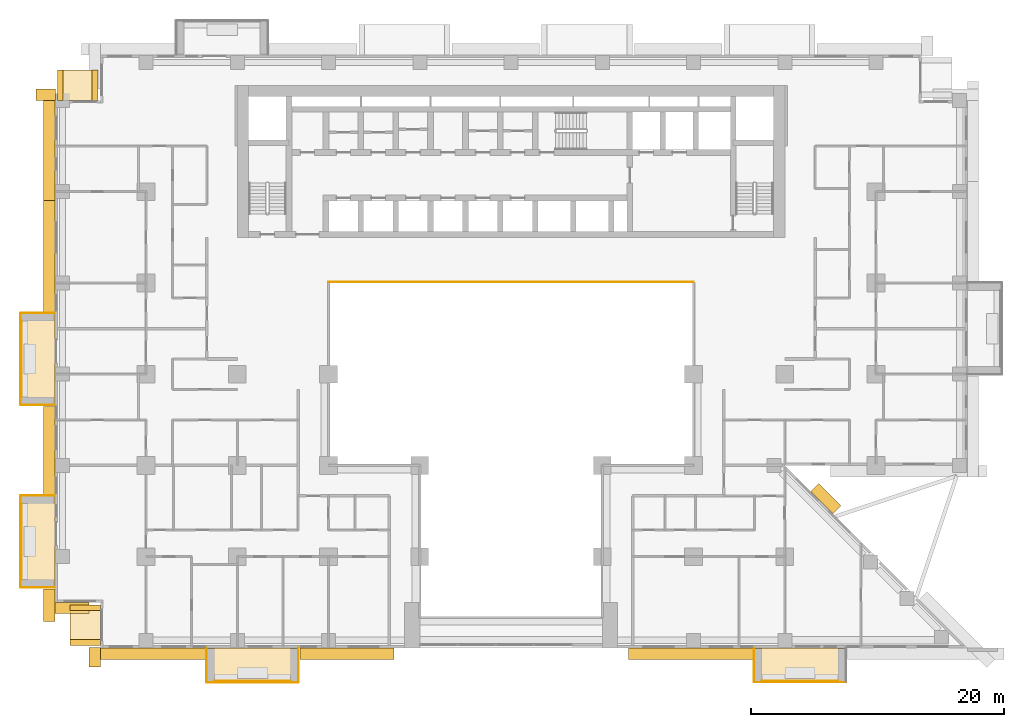
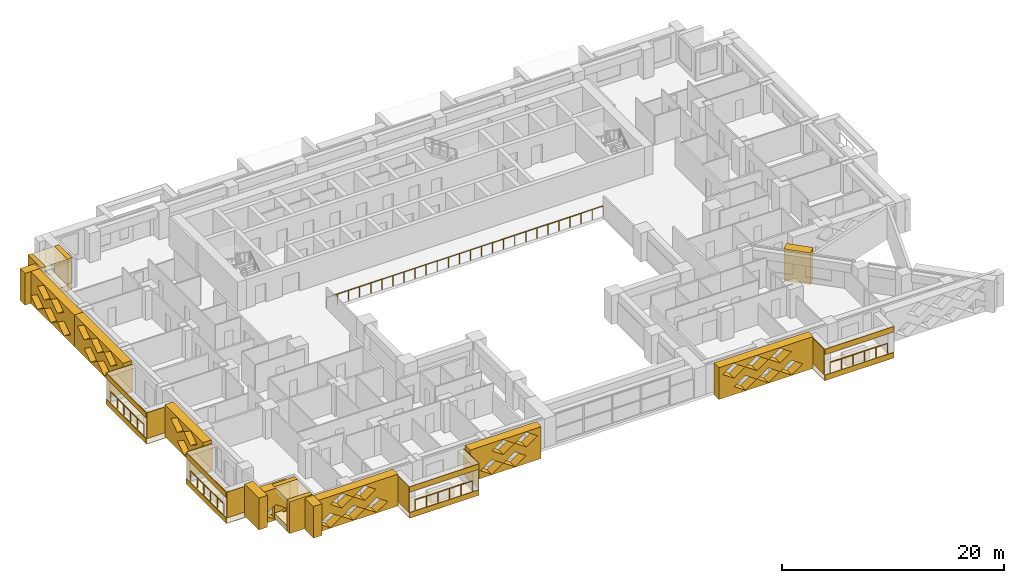
# One storey, part 14 of 17: 38 coverings, 5 railings.
"""IFC4 building model written with IfcOpenShell, lengths in metres."""

from ifc_helpers import new_model, si_unit, direction, frame, origin, origin_2d, place, context, subcontext, project, spatial, polyline, circle, outline, extrude, material, layer, layer_set, type_object, element, save


model = new_model("IFC4")

# Units and contexts
model_context = context("Model", 3, precision=1e-05, world=origin(), true_north=direction((0.0, 1.0)))
body_context = subcontext(model_context, "Body", "Model", "MODEL_VIEW")
ifc_project = project(units=[si_unit("LENGTHUNIT", "METRE"), si_unit("AREAUNIT", "SQUARE_METRE"), si_unit("VOLUMEUNIT", "CUBIC_METRE"), si_unit("PLANEANGLEUNIT", "RADIAN"), si_unit("MASSUNIT", "GRAM", prefix="KILO")], contexts=[model_context])

# Site, building, storey
site_placement = place(None, origin())
site = spatial("IfcSite", under=ifc_project, at=site_placement, CompositionType="ELEMENT")
building_placement = place(site_placement, origin())
building = spatial("IfcBuilding", under=site, at=building_placement, Name="Saffron Iwan Residences", CompositionType="ELEMENT")
storey_placement = place(building_placement, frame((0.0, 0.0, 51.5)))
storey = spatial("IfcBuildingStorey", under=building, at=storey_placement, Name="L12", CompositionType="ELEMENT", Elevation=51.5)

# Railings
ifc_material_1 = material(Name="Stainless steel 316", Category="steel")
railing_type_1 = type_object("IfcRailingType", Name="Atrium guard 1150", PredefinedType="GUARDRAIL", material=ifc_material_1)
railing_placement = place(storey_placement, frame((36.0, 62.47509765625, 0.0)))
element("IfcRailing", 1, at=railing_placement, inside=storey, type_object=railing_type_1, Name="Atrium guard L12", PredefinedType="GUARDRAIL", context=body_context, shape_type="SweptSolid", body=[
    extrude(circle(Radius=0.02392578125, at=origin_2d()), frame((0.0, 0.0, 1.1259765625), z_axis=(1.0, 0.0, 0.0), x_axis=(0.0, 1.0, 0.0)), (0.0, 0.0, 1.0), 28.800048828125),
    extrude(circle(Radius=0.02099609375, at=origin_2d()), origin(), (0.0, 0.0, 1.0), 1.101806640625),
    extrude(circle(Radius=0.02099609375, at=origin_2d()), frame((1.152099609375, 0.0, 0.0)), (0.0, 0.0, 1.0), 1.101806640625),
    extrude(circle(Radius=0.02099609375, at=origin_2d()), frame((2.303955078125, 0.0, 0.0)), (0.0, 0.0, 1.0), 1.101806640625),
    extrude(circle(Radius=0.02099609375, at=origin_2d()), frame((3.4560546875, 0.0, 0.0)), (0.0, 0.0, 1.0), 1.101806640625),
    extrude(circle(Radius=0.02099609375, at=origin_2d()), frame((4.60791015625, 0.0, 0.0)), (0.0, 0.0, 1.0), 1.101806640625),
    extrude(circle(Radius=0.02099609375, at=origin_2d()), frame((5.760009765625, 0.0, 0.0)), (0.0, 0.0, 1.0), 1.101806640625),
    extrude(circle(Radius=0.02099609375, at=origin_2d()), frame((6.912109375, 0.0, 0.0)), (0.0, 0.0, 1.0), 1.101806640625),
    extrude(circle(Radius=0.02099609375, at=origin_2d()), frame((8.06396484375, 0.0, 0.0)), (0.0, 0.0, 1.0), 1.101806640625),
    extrude(circle(Radius=0.02099609375, at=origin_2d()), frame((9.216064453125, 0.0, 0.0)), (0.0, 0.0, 1.0), 1.101806640625),
    extrude(circle(Radius=0.02099609375, at=origin_2d()), frame((10.367919921875, 0.0, 0.0)), (0.0, 0.0, 1.0), 1.101806640625),
    extrude(circle(Radius=0.02099609375, at=origin_2d()), frame((11.52001953125, 0.0, 0.0)), (0.0, 0.0, 1.0), 1.101806640625),
    extrude(circle(Radius=0.02099609375, at=origin_2d()), frame((12.672119140625, 0.0, 0.0)), (0.0, 0.0, 1.0), 1.101806640625),
    extrude(circle(Radius=0.02099609375, at=origin_2d()), frame((13.823974609375, 0.0, 0.0)), (0.0, 0.0, 1.0), 1.101806640625),
    extrude(circle(Radius=0.02099609375, at=origin_2d()), frame((14.97607421875, 0.0, 0.0)), (0.0, 0.0, 1.0), 1.101806640625),
    extrude(circle(Radius=0.02099609375, at=origin_2d()), frame((16.1279296875, 0.0, 0.0)), (0.0, 0.0, 1.0), 1.101806640625),
    extrude(circle(Radius=0.02099609375, at=origin_2d()), frame((17.280029296875, 0.0, 0.0)), (0.0, 0.0, 1.0), 1.101806640625),
    extrude(circle(Radius=0.02099609375, at=origin_2d()), frame((18.43212890625, 0.0, 0.0)), (0.0, 0.0, 1.0), 1.101806640625),
    extrude(circle(Radius=0.02099609375, at=origin_2d()), frame((19.583984375, 0.0, 0.0)), (0.0, 0.0, 1.0), 1.101806640625),
    extrude(circle(Radius=0.02099609375, at=origin_2d()), frame((20.736083984375, 0.0, 0.0)), (0.0, 0.0, 1.0), 1.101806640625),
    extrude(circle(Radius=0.02099609375, at=origin_2d()), frame((21.887939453125, 0.0, 0.0)), (0.0, 0.0, 1.0), 1.101806640625),
    extrude(circle(Radius=0.02099609375, at=origin_2d()), frame((23.0400390625, 0.0, 0.0)), (0.0, 0.0, 1.0), 1.101806640625),
    extrude(circle(Radius=0.02099609375, at=origin_2d()), frame((24.192138671875, 0.0, 0.0)), (0.0, 0.0, 1.0), 1.101806640625),
    extrude(circle(Radius=0.02099609375, at=origin_2d()), frame((25.343994140625, 0.0, 0.0)), (0.0, 0.0, 1.0), 1.101806640625),
    extrude(circle(Radius=0.02099609375, at=origin_2d()), frame((26.49609375, 0.0, 0.0)), (0.0, 0.0, 1.0), 1.101806640625),
    extrude(circle(Radius=0.02099609375, at=origin_2d()), frame((27.64794921875, 0.0, 0.0)), (0.0, 0.0, 1.0), 1.101806640625),
    extrude(circle(Radius=0.02099609375, at=origin_2d()), frame((28.800048828125, 0.0, 0.0)), (0.0, 0.0, 1.0), 1.101806640625),
])
railing_type_2 = type_object("IfcRailingType", Name="BALCONY GUARD 1150", PredefinedType="GUARDRAIL", material=ifc_material_1)
for number, where, name in (
    (2, (11.77490234375, 59.39990234375, 0.0), "Balcony guard L12 F8-1"),
    (3, (11.77490234375, 45.0, 0.0), "Balcony guard L12 F8-2"),
):
    element("IfcRailing", number, at=place(storey_placement, frame(where)), inside=storey, type_object=railing_type_2, Name=name, PredefinedType="GUARDRAIL", context=body_context, shape_type="SweptSolid", body=[
        extrude(circle(Radius=0.02392578125, at=origin_2d()), frame((0.0, 0.0, 1.1259765625), z_axis=(0.0, -1.0, 0.0), x_axis=(1.0, 0.0, 0.0)), (0.0, 0.0, 1.0), 6.0),
        extrude(circle(Radius=0.02099609375, at=origin_2d()), origin(), (0.0, 0.0, 1.0), 1.101806640625),
        extrude(circle(Radius=0.02099609375, at=origin_2d()), frame((0.0, -1.199951171875, 0.0)), (0.0, 0.0, 1.0), 1.101806640625),
        extrude(circle(Radius=0.02099609375, at=origin_2d()), frame((0.0, -2.39990234375, 0.0)), (0.0, 0.0, 1.0), 1.101806640625),
        extrude(circle(Radius=0.02099609375, at=origin_2d()), frame((0.0, -3.60009765625, 0.0)), (0.0, 0.0, 1.0), 1.101806640625),
        extrude(circle(Radius=0.02099609375, at=origin_2d()), frame((0.0, -4.800048828125, 0.0)), (0.0, 0.0, 1.0), 1.101806640625),
        extrude(circle(Radius=0.02099609375, at=origin_2d()), frame((0.0, -6.0, 0.0)), (0.0, 0.0, 1.0), 1.101806640625),
    ])
for number, where, name in (
    (4, (27.0, 30.97509765625, 0.0), "Balcony guard L12 11-0"),
    (5, (70.199951171875, 30.97509765625, 0.0), "Balcony guard L12 11-1"),
):
    element("IfcRailing", number, at=place(storey_placement, frame(where)), inside=storey, type_object=railing_type_2, Name=name, PredefinedType="GUARDRAIL", context=body_context, shape_type="SweptSolid", body=[
        extrude(circle(Radius=0.02392578125, at=origin_2d()), frame((0.0, 0.0, 1.1259765625), z_axis=(1.0, 0.0, 0.0), x_axis=(0.0, 1.0, 0.0)), (0.0, 0.0, 1.0), 6.0),
        extrude(circle(Radius=0.02099609375, at=origin_2d()), origin(), (0.0, 0.0, 1.0), 1.101806640625),
        extrude(circle(Radius=0.02099609375, at=origin_2d()), frame((1.199951171875, 0.0, 0.0)), (0.0, 0.0, 1.0), 1.101806640625),
        extrude(circle(Radius=0.02099609375, at=origin_2d()), frame((2.39990234375, 0.0, 0.0)), (0.0, 0.0, 1.0), 1.101806640625),
        extrude(circle(Radius=0.02099609375, at=origin_2d()), frame((3.60009765625, 0.0, 0.0)), (0.0, 0.0, 1.0), 1.101806640625),
        extrude(circle(Radius=0.02099609375, at=origin_2d()), frame((4.800048828125, 0.0, 0.0)), (0.0, 0.0, 1.0), 1.101806640625),
        extrude(circle(Radius=0.02099609375, at=origin_2d()), frame((6.0, 0.0, 0.0)), (0.0, 0.0, 1.0), 1.101806640625),
    ])

# Coverings
ifc_material_2 = material(Name="Precast concrete C40/50 white painted", Category="concrete")
ifc_layer = layer(ifc_material_2, 0.050048828125)
ifc_layer_set = layer_set([ifc_layer], Name="Precast concrete C40/50 white painted")
covering_type_1 = type_object("IfcCoveringType", Name="FRAME SKIN PRECAST WHITE 50", PredefinedType="CLADDING", material=ifc_layer_set)
for number, where, name in (
    (6, (0.0, 0.0, -0.60009765625), "Frame skin slab edge L12 F8-1"),
    (7, (0.0, 0.0, 2.25), "Frame skin fascia L12 F8-1"),
):
    element("IfcCovering", number, at=place(storey_placement, frame(where)), inside=storey, type_object=covering_type_1, Name=name, PredefinedType="CLADDING", context=body_context, shape_type="SweptSolid", body=[
        extrude(outline(polyline([(11.64990234375, 60.0), (11.64990234375, 52.800048828125), (11.699951171875, 52.800048828125), (11.699951171875, 60.0), (11.64990234375, 60.0)])), origin(), (0.0, 0.0, 1.0), 0.60009765625),
    ])
covering_1_placement = place(storey_placement, frame((0.0, 0.0, -0.64990234375)))
element("IfcCovering", 8, at=covering_1_placement, inside=storey, type_object=covering_type_1, Name="Frame skin soffit L12 F8-1", PredefinedType="CLADDING", context=body_context, shape_type="SweptSolid", body=[
    extrude(outline(polyline([(11.699951171875, 60.0), (11.699951171875, 52.800048828125), (14.39990234375, 52.800048828125), (14.39990234375, 60.0), (11.699951171875, 60.0)])), origin(), (0.0, 0.0, 1.0), 0.0498046875),
])
covering_2_placement = place(storey_placement, origin())
element("IfcCovering", 9, at=covering_2_placement, inside=storey, type_object=covering_type_1, Name="Frame skin fin L12 F8-1a", PredefinedType="CLADDING", context=body_context, shape_type="SweptSolid", body=[
    extrude(outline(polyline([(11.699951171875, 60.050048828125), (11.699951171875, 60.0), (14.39990234375, 60.0), (14.39990234375, 60.050048828125), (11.699951171875, 60.050048828125)])), origin(), (0.0, 0.0, 1.0), 2.85009765625),
])
covering_3_placement = place(storey_placement, origin())
element("IfcCovering", 10, at=covering_3_placement, inside=storey, type_object=covering_type_1, Name="Frame skin fin L12 F8-1b", PredefinedType="CLADDING", context=body_context, shape_type="SweptSolid", body=[
    extrude(outline(polyline([(11.699951171875, 52.800048828125), (11.699951171875, 52.75), (14.39990234375, 52.75), (14.39990234375, 52.800048828125), (11.699951171875, 52.800048828125)])), origin(), (0.0, 0.0, 1.0), 2.85009765625),
])
for number, where, name in (
    (11, (0.0, 0.0, -0.60009765625), "Frame skin slab edge L12 F8-2"),
    (12, (0.0, 0.0, 2.25), "Frame skin fascia L12 F8-2"),
):
    element("IfcCovering", number, at=place(storey_placement, frame(where)), inside=storey, type_object=covering_type_1, Name=name, PredefinedType="CLADDING", context=body_context, shape_type="SweptSolid", body=[
        extrude(outline(polyline([(11.64990234375, 45.60009765625), (11.64990234375, 38.39990234375), (11.699951171875, 38.39990234375), (11.699951171875, 45.60009765625), (11.64990234375, 45.60009765625)])), origin(), (0.0, 0.0, 1.0), 0.60009765625),
    ])
covering_4_placement = place(storey_placement, frame((0.0, 0.0, -0.64990234375)))
element("IfcCovering", 13, at=covering_4_placement, inside=storey, type_object=covering_type_1, Name="Frame skin soffit L12 F8-2", PredefinedType="CLADDING", context=body_context, shape_type="SweptSolid", body=[
    extrude(outline(polyline([(11.699951171875, 45.60009765625), (11.699951171875, 38.39990234375), (14.39990234375, 38.39990234375), (14.39990234375, 45.60009765625), (11.699951171875, 45.60009765625)])), origin(), (0.0, 0.0, 1.0), 0.0498046875),
])
covering_5_placement = place(storey_placement, origin())
element("IfcCovering", 14, at=covering_5_placement, inside=storey, type_object=covering_type_1, Name="Frame skin fin L12 F8-2a", PredefinedType="CLADDING", context=body_context, shape_type="SweptSolid", body=[
    extrude(outline(polyline([(11.699951171875, 45.64990234375), (11.699951171875, 45.60009765625), (14.39990234375, 45.60009765625), (14.39990234375, 45.64990234375), (11.699951171875, 45.64990234375)])), origin(), (0.0, 0.0, 1.0), 2.85009765625),
])
covering_6_placement = place(storey_placement, origin())
element("IfcCovering", 15, at=covering_6_placement, inside=storey, type_object=covering_type_1, Name="Frame skin fin L12 F8-2b", PredefinedType="CLADDING", context=body_context, shape_type="SweptSolid", body=[
    extrude(outline(polyline([(11.699951171875, 38.39990234375), (11.699951171875, 38.35009765625), (14.39990234375, 38.35009765625), (14.39990234375, 38.39990234375), (11.699951171875, 38.39990234375)])), origin(), (0.0, 0.0, 1.0), 2.85009765625),
])
for number, where, name in (
    (16, (0.0, 0.0, -0.60009765625), "Frame skin slab edge L12 11-0"),
    (17, (0.0, 0.0, 2.25), "Frame skin fascia L12 11-0"),
):
    element("IfcCovering", number, at=place(storey_placement, frame(where)), inside=storey, type_object=covering_type_1, Name=name, PredefinedType="CLADDING", context=body_context, shape_type="SweptSolid", body=[
        extrude(outline(polyline([(26.39990234375, 30.85009765625), (33.60009765625, 30.85009765625), (33.60009765625, 30.89990234375), (26.39990234375, 30.89990234375), (26.39990234375, 30.85009765625)])), origin(), (0.0, 0.0, 1.0), 0.60009765625),
    ])
covering_7_placement = place(storey_placement, frame((0.0, 0.0, -0.64990234375)))
element("IfcCovering", 18, at=covering_7_placement, inside=storey, type_object=covering_type_1, Name="Frame skin soffit L12 11-0", PredefinedType="CLADDING", context=body_context, shape_type="SweptSolid", body=[
    extrude(outline(polyline([(26.39990234375, 30.89990234375), (33.60009765625, 30.89990234375), (33.60009765625, 33.60009765625), (26.39990234375, 33.60009765625), (26.39990234375, 30.89990234375)])), origin(), (0.0, 0.0, 1.0), 0.0498046875),
])
covering_8_placement = place(storey_placement, origin())
element("IfcCovering", 19, at=covering_8_placement, inside=storey, type_object=covering_type_1, Name="Frame skin fin L12 11-0a", PredefinedType="CLADDING", context=body_context, shape_type="SweptSolid", body=[
    extrude(outline(polyline([(26.35009765625, 30.89990234375), (26.39990234375, 30.89990234375), (26.39990234375, 33.60009765625), (26.35009765625, 33.60009765625), (26.35009765625, 30.89990234375)])), origin(), (0.0, 0.0, 1.0), 2.85009765625),
])
covering_9_placement = place(storey_placement, origin())
element("IfcCovering", 20, at=covering_9_placement, inside=storey, type_object=covering_type_1, Name="Frame skin fin L12 11-0b", PredefinedType="CLADDING", context=body_context, shape_type="SweptSolid", body=[
    extrude(outline(polyline([(33.60009765625, 30.89990234375), (33.64990234375, 30.89990234375), (33.64990234375, 33.60009765625), (33.60009765625, 33.60009765625), (33.60009765625, 30.89990234375)])), origin(), (0.0, 0.0, 1.0), 2.85009765625),
])
for number, where, name in (
    (21, (0.0, 0.0, -0.60009765625), "Frame skin slab edge L12 11-1"),
    (22, (0.0, 0.0, 2.25), "Frame skin fascia L12 11-1"),
):
    element("IfcCovering", number, at=place(storey_placement, frame(where)), inside=storey, type_object=covering_type_1, Name=name, PredefinedType="CLADDING", context=body_context, shape_type="SweptSolid", body=[
        extrude(outline(polyline([(69.60009765625, 30.85009765625), (76.800048828125, 30.85009765625), (76.800048828125, 30.89990234375), (69.60009765625, 30.89990234375), (69.60009765625, 30.85009765625)])), origin(), (0.0, 0.0, 1.0), 0.60009765625),
    ])
covering_10_placement = place(storey_placement, frame((0.0, 0.0, -0.64990234375)))
element("IfcCovering", 23, at=covering_10_placement, inside=storey, type_object=covering_type_1, Name="Frame skin soffit L12 11-1", PredefinedType="CLADDING", context=body_context, shape_type="SweptSolid", body=[
    extrude(outline(polyline([(69.60009765625, 30.89990234375), (76.800048828125, 30.89990234375), (76.800048828125, 33.60009765625), (69.60009765625, 33.60009765625), (69.60009765625, 30.89990234375)])), origin(), (0.0, 0.0, 1.0), 0.0498046875),
])
covering_11_placement = place(storey_placement, origin())
element("IfcCovering", 24, at=covering_11_placement, inside=storey, type_object=covering_type_1, Name="Frame skin fin L12 11-1a", PredefinedType="CLADDING", context=body_context, shape_type="SweptSolid", body=[
    extrude(outline(polyline([(69.550048828125, 30.89990234375), (69.60009765625, 30.89990234375), (69.60009765625, 33.60009765625), (69.550048828125, 33.60009765625), (69.550048828125, 30.89990234375)])), origin(), (0.0, 0.0, 1.0), 2.85009765625),
])
ifc_material_3 = material(Name="Precast concrete C40/50", Category="concrete")
covering_type_2 = type_object("IfcCoveringType", Name="OUTER SKIN LATTICE SCREEN", PredefinedType="CLADDING", material=ifc_material_3)
covering_12_placement = place(storey_placement, frame((75.805908203125, 44.194091796875, -0.320068359375), z_axis=(0.707106781187, 0.707106781187, 0.0), x_axis=(-0.707106781187, 0.707106781187, 0.0)))
element("IfcCovering", 25, at=covering_12_placement, inside=storey, type_object=covering_type_2, Name="OUTER SKIN lattice screen L12 F0.1", PredefinedType="CLADDING", context=body_context, shape_type="SweptSolid", body=[
    extrude(outline(polyline([(0.0, 0.0), (2.4853515625, 0.0), (2.4853515625, 3.5), (0.0, 3.5), (0.0, 0.0)])), origin(), (0.0, 0.0, 1.0), 0.900146484375),
])
covering_13_placement = place(storey_placement, frame((14.449951171875, 76.800048828125, -0.320068359375), z_axis=(0.0, 1.0, 0.0), x_axis=(-1.0, 0.0, 0.0)))
element("IfcCovering", 26, at=covering_13_placement, inside=storey, type_object=covering_type_2, Name="OUTER SKIN lattice screen L12 F7.0", PredefinedType="CLADDING", context=body_context, shape_type="SweptSolid", body=[
    extrude(outline(polyline([(0.0, 0.0), (1.550048828125, 0.0), (1.550048828125, 3.5), (0.0, 3.5), (0.0, 0.0)])), origin(), (0.0, 0.0, 1.0), 0.89990234375),
])
covering_14_placement = place(storey_placement, frame((14.39990234375, 77.699951171875, -0.320068359375), z_axis=(-1.0, 0.0, 0.0), x_axis=(0.0, -1.0, 0.0)))
element("IfcCovering", 27, at=covering_14_placement, inside=storey, type_object=covering_type_2, Name="OUTER SKIN lattice screen L12 F8.0", PredefinedType="CLADDING", context=body_context, shape_type="SweptSolid", body=[
    extrude(outline(polyline([(0.0, 0.0), (8.77490234375, 0.0), (8.77490234375, 3.5), (0.0, 3.5), (0.0, 0.0)]), holes=[polyline([(0.919921875, 0.875), (2.10009765625, 0.06005859375), (3.280029296875, 0.875), (2.10009765625, 1.68994140625), (0.919921875, 0.875)]), polyline([(3.320068359375, 0.875), (4.5, 0.06005859375), (5.679931640625, 0.875), (4.5, 1.68994140625), (3.320068359375, 0.875)]), polyline([(5.719970703125, 0.875), (6.89990234375, 0.06005859375), (8.080078125, 0.875), (6.89990234375, 1.68994140625), (5.719970703125, 0.875)]), polyline([(2.1201171875, 2.625), (3.300048828125, 1.81005859375), (4.47998046875, 2.625), (3.300048828125, 3.43994140625), (2.1201171875, 2.625)]), polyline([(4.52001953125, 2.625), (5.699951171875, 1.81005859375), (6.8798828125, 2.625), (5.699951171875, 3.43994140625), (4.52001953125, 2.625)])]), origin(), (0.0, 0.0, 1.0), 0.89990234375),
])
covering_15_placement = place(storey_placement, frame((14.39990234375, 68.925048828125, -0.320068359375), z_axis=(-1.0, 0.0, 0.0), x_axis=(0.0, -1.0, 0.0)))
element("IfcCovering", 28, at=covering_15_placement, inside=storey, type_object=covering_type_2, Name="OUTER SKIN lattice screen L12 F8.1", PredefinedType="CLADDING", context=body_context, shape_type="SweptSolid", body=[
    extrude(outline(polyline([(0.0, 0.0), (8.77490234375, 0.0), (8.77490234375, 3.5), (0.0, 3.5), (0.0, 0.0)]), holes=[polyline([(1.7451171875, 0.875), (2.925048828125, 0.06005859375), (4.10498046875, 0.875), (2.925048828125, 1.68994140625), (1.7451171875, 0.875)]), polyline([(4.14501953125, 0.875), (5.324951171875, 0.06005859375), (6.5048828125, 0.875), (5.324951171875, 1.68994140625), (4.14501953125, 0.875)]), polyline([(0.544921875, 2.625), (1.72509765625, 1.81005859375), (2.905029296875, 2.625), (1.72509765625, 3.43994140625), (0.544921875, 2.625)]), polyline([(2.945068359375, 2.625), (4.125, 1.81005859375), (5.304931640625, 2.625), (4.125, 3.43994140625), (2.945068359375, 2.625)]), polyline([(5.344970703125, 2.625), (6.52490234375, 1.81005859375), (7.705078125, 2.625), (6.52490234375, 3.43994140625), (5.344970703125, 2.625)])]), origin(), (0.0, 0.0, 1.0), 0.89990234375),
])
covering_16_placement = place(storey_placement, frame((14.39990234375, 52.64990234375, -0.320068359375), z_axis=(-1.0, 0.0, 0.0), x_axis=(0.0, -1.0, 0.0)))
element("IfcCovering", 29, at=covering_16_placement, inside=storey, type_object=covering_type_2, Name="OUTER SKIN lattice screen L12 F8.2", PredefinedType="CLADDING", context=body_context, shape_type="SweptSolid", body=[
    extrude(outline(polyline([(0.0, 0.0), (6.89990234375, 0.0), (6.89990234375, 3.5), (0.0, 3.5), (0.0, 0.0)]), holes=[polyline([(2.27001953125, 0.875), (3.449951171875, 0.06005859375), (4.6298828125, 0.875), (3.449951171875, 1.68994140625), (2.27001953125, 0.875)]), polyline([(1.070068359375, 2.625), (2.25, 1.81005859375), (3.429931640625, 2.625), (2.25, 3.43994140625), (1.070068359375, 2.625)]), polyline([(3.469970703125, 2.625), (4.64990234375, 1.81005859375), (5.830078125, 2.625), (4.64990234375, 3.43994140625), (3.469970703125, 2.625)])]), origin(), (0.0, 0.0, 1.0), 0.89990234375),
])
covering_17_placement = place(storey_placement, frame((14.39990234375, 38.25, -0.320068359375), z_axis=(-1.0, 0.0, 0.0), x_axis=(0.0, -1.0, 0.0)))
element("IfcCovering", 30, at=covering_17_placement, inside=storey, type_object=covering_type_2, Name="OUTER SKIN lattice screen L12 F8.3", PredefinedType="CLADDING", context=body_context, shape_type="SweptSolid", body=[
    extrude(outline(polyline([(0.0, 0.0), (2.550048828125, 0.0), (2.550048828125, 3.5), (0.0, 3.5), (0.0, 0.0)])), origin(), (0.0, 0.0, 1.0), 0.89990234375),
])
covering_18_placement = place(storey_placement, frame((13.5, 37.199951171875, -0.320068359375), z_axis=(0.0, -1.0, 0.0), x_axis=(1.0, 0.0, 0.0)))
element("IfcCovering", 31, at=covering_18_placement, inside=storey, type_object=covering_type_2, Name="OUTER SKIN lattice screen L12 F9.0", PredefinedType="CLADDING", context=body_context, shape_type="SweptSolid", body=[
    extrude(outline(polyline([(0.0, 0.0), (3.60009765625, 0.0), (3.60009765625, 3.5), (0.0, 3.5), (0.0, 0.0)]), holes=[polyline([(0.919921875, 0.875), (2.10009765625, 0.06005859375), (3.280029296875, 0.875), (2.10009765625, 1.68994140625), (0.919921875, 0.875)])]), origin(), (0.0, 0.0, 1.0), 0.89990234375),
])
covering_19_placement = place(storey_placement, frame((18.0, 33.64990234375, -0.320068359375), z_axis=(-1.0, 0.0, 0.0), x_axis=(0.0, -1.0, 0.0)))
element("IfcCovering", 32, at=covering_19_placement, inside=storey, type_object=covering_type_2, Name="OUTER SKIN lattice screen L12 F10.0", PredefinedType="CLADDING", context=body_context, shape_type="SweptSolid", body=[
    extrude(outline(polyline([(0.0, 0.0), (1.550048828125, 0.0), (1.550048828125, 3.5), (0.0, 3.5), (0.0, 0.0)])), origin(), (0.0, 0.0, 1.0), 0.89990234375),
])
covering_20_placement = place(storey_placement, frame((17.10009765625, 33.60009765625, -0.320068359375), z_axis=(0.0, -1.0, 0.0), x_axis=(1.0, 0.0, 0.0)))
element("IfcCovering", 33, at=covering_20_placement, inside=storey, type_object=covering_type_2, Name="OUTER SKIN lattice screen L12 F11.0", PredefinedType="CLADDING", context=body_context, shape_type="SweptSolid", body=[
    extrude(outline(polyline([(0.0, 0.0), (9.14990234375, 0.0), (9.14990234375, 3.5), (0.0, 3.5), (0.0, 0.0)]), holes=[polyline([(0.919921875, 0.875), (2.10009765625, 0.06005859375), (3.280029296875, 0.875), (2.10009765625, 1.68994140625), (0.919921875, 0.875)]), polyline([(3.320068359375, 0.875), (4.5, 0.06005859375), (5.679931640625, 0.875), (4.5, 1.68994140625), (3.320068359375, 0.875)]), polyline([(5.719970703125, 0.875), (6.89990234375, 0.06005859375), (8.080078125, 0.875), (6.89990234375, 1.68994140625), (5.719970703125, 0.875)]), polyline([(2.1201171875, 2.625), (3.300048828125, 1.81005859375), (4.47998046875, 2.625), (3.300048828125, 3.43994140625), (2.1201171875, 2.625)]), polyline([(4.52001953125, 2.625), (5.699951171875, 1.81005859375), (6.8798828125, 2.625), (5.699951171875, 3.43994140625), (4.52001953125, 2.625)])]), origin(), (0.0, 0.0, 1.0), 0.900146484375),
])
covering_21_placement = place(storey_placement, frame((33.75, 33.60009765625, -0.320068359375), z_axis=(0.0, -1.0, 0.0), x_axis=(1.0, 0.0, 0.0)))
element("IfcCovering", 34, at=covering_21_placement, inside=storey, type_object=covering_type_2, Name="OUTER SKIN lattice screen L12 F11.1", PredefinedType="CLADDING", context=body_context, shape_type="SweptSolid", body=[
    extrude(outline(polyline([(0.0, 0.0), (7.39990234375, 0.0), (7.39990234375, 3.5), (0.0, 3.5), (0.0, 0.0)]), holes=[polyline([(1.070068359375, 0.875), (2.25, 0.06005859375), (3.429931640625, 0.875), (2.25, 1.68994140625), (1.070068359375, 0.875)]), polyline([(3.469970703125, 0.875), (4.64990234375, 0.06005859375), (5.830078125, 0.875), (4.64990234375, 1.68994140625), (3.469970703125, 0.875)]), polyline([(2.27001953125, 2.625), (3.449951171875, 1.81005859375), (4.6298828125, 2.625), (3.449951171875, 3.43994140625), (2.27001953125, 2.625)]), polyline([(4.669921875, 2.625), (5.85009765625, 1.81005859375), (7.030029296875, 2.625), (5.85009765625, 3.43994140625), (4.669921875, 2.625)])]), origin(), (0.0, 0.0, 1.0), 0.900146484375),
])
covering_22_placement = place(storey_placement, frame((59.64990234375, 33.60009765625, -0.320068359375), z_axis=(0.0, -1.0, 0.0), x_axis=(1.0, 0.0, 0.0)))
element("IfcCovering", 35, at=covering_22_placement, inside=storey, type_object=covering_type_2, Name="OUTER SKIN lattice screen L12 F11.2", PredefinedType="CLADDING", context=body_context, shape_type="SweptSolid", body=[
    extrude(outline(polyline([(0.0, 0.0), (9.800048828125, 0.0), (9.800048828125, 3.5), (0.0, 3.5), (0.0, 0.0)]), holes=[polyline([(1.570068359375, 0.875), (2.75, 0.06005859375), (3.929931640625, 0.875), (2.75, 1.68994140625), (1.570068359375, 0.875)]), polyline([(3.969970703125, 0.875), (5.14990234375, 0.06005859375), (6.330078125, 0.875), (5.14990234375, 1.68994140625), (3.969970703125, 0.875)]), polyline([(6.3701171875, 0.875), (7.550048828125, 0.06005859375), (8.72998046875, 0.875), (7.550048828125, 1.68994140625), (6.3701171875, 0.875)]), polyline([(0.3701171875, 2.625), (1.550048828125, 1.81005859375), (2.72998046875, 2.625), (1.550048828125, 3.43994140625), (0.3701171875, 2.625)]), polyline([(2.77001953125, 2.625), (3.949951171875, 1.81005859375), (5.1298828125, 2.625), (3.949951171875, 3.43994140625), (2.77001953125, 2.625)]), polyline([(5.169921875, 2.625), (6.35009765625, 1.81005859375), (7.530029296875, 2.625), (6.35009765625, 3.43994140625), (5.169921875, 2.625)])]), origin(), (0.0, 0.0, 1.0), 0.900146484375),
])
covering_type_3 = type_object("IfcCoveringType", Name="WHITE SUN FRAME PRECAST", PredefinedType="CLADDING", material=ifc_material_2)
for number, where, z_axis, x_axis, name in (
    (36, (17.800048828125, 76.800048828125, -0.320068359375), (0.0, 1.0, 0.0), (-1.0, 0.0, 0.0), "Sun frame L12 F7 0.2a"),
    (37, (15.050048828125, 76.800048828125, -0.320068359375), (0.0, 1.0, 0.0), (-1.0, 0.0, 0.0), "Sun frame L12 F7 0.2b"),
):
    element("IfcCovering", number, at=place(storey_placement, frame(where, z_axis=z_axis, x_axis=x_axis)), inside=storey, type_object=covering_type_3, Name=name, PredefinedType="CLADDING", context=body_context, shape_type="SweptSolid", body=[
        extrude(outline(polyline([(0.0, 0.0), (0.449951171875, 0.0), (0.449951171875, 3.5), (0.0, 3.5), (0.0, 0.0)])), origin(), (0.0, 0.0, 1.0), 2.39990234375),
    ])
for number, where, z_axis, x_axis, name in (
    (38, (17.35009765625, 76.800048828125, 2.580078125), (0.0, 1.0, 0.0), (-1.0, 0.0, 0.0), "Sun frame L12 F7 0.2h"),
    (39, (17.35009765625, 76.800048828125, -0.320068359375), (0.0, 1.0, 0.0), (-1.0, 0.0, 0.0), "Sun frame L12 F7 0.2s"),
):
    element("IfcCovering", number, at=place(storey_placement, frame(where, z_axis=z_axis, x_axis=x_axis)), inside=storey, type_object=covering_type_3, Name=name, PredefinedType="CLADDING", context=body_context, shape_type="SweptSolid", body=[
        extrude(outline(polyline([(0.0, 0.0), (2.300048828125, 0.0), (2.300048828125, 0.60009765625), (0.0, 0.60009765625), (0.0, 0.0)])), origin(), (0.0, 0.0, 1.0), 2.39990234375),
    ])
for number, where, z_axis, x_axis, name in (
    (40, (18.0, 37.0, -0.320068359375), (-1.0, 0.0, 0.0), (0.0, -1.0, 0.0), "Sun frame L12 F10 0.2a"),
    (41, (18.0, 34.25, -0.320068359375), (-1.0, 0.0, 0.0), (0.0, -1.0, 0.0), "Sun frame L12 F10 0.2b"),
):
    element("IfcCovering", number, at=place(storey_placement, frame(where, z_axis=z_axis, x_axis=x_axis)), inside=storey, type_object=covering_type_3, Name=name, PredefinedType="CLADDING", context=body_context, shape_type="SweptSolid", body=[
        extrude(outline(polyline([(0.0, 0.0), (0.449951171875, 0.0), (0.449951171875, 3.5), (0.0, 3.5), (0.0, 0.0)])), origin(), (0.0, 0.0, 1.0), 2.39990234375),
    ])
for number, where, z_axis, x_axis, name in (
    (42, (18.0, 36.550048828125, 2.580078125), (-1.0, 0.0, 0.0), (0.0, -1.0, 0.0), "Sun frame L12 F10 0.2h"),
    (43, (18.0, 36.550048828125, -0.320068359375), (-1.0, 0.0, 0.0), (0.0, -1.0, 0.0), "Sun frame L12 F10 0.2s"),
):
    element("IfcCovering", number, at=place(storey_placement, frame(where, z_axis=z_axis, x_axis=x_axis)), inside=storey, type_object=covering_type_3, Name=name, PredefinedType="CLADDING", context=body_context, shape_type="SweptSolid", body=[
        extrude(outline(polyline([(0.0, 0.0), (2.300048828125, 0.0), (2.300048828125, 0.60009765625), (0.0, 0.60009765625), (0.0, 0.0)])), origin(), (0.0, 0.0, 1.0), 2.39990234375),
    ])

save(model, "model.ifc")
